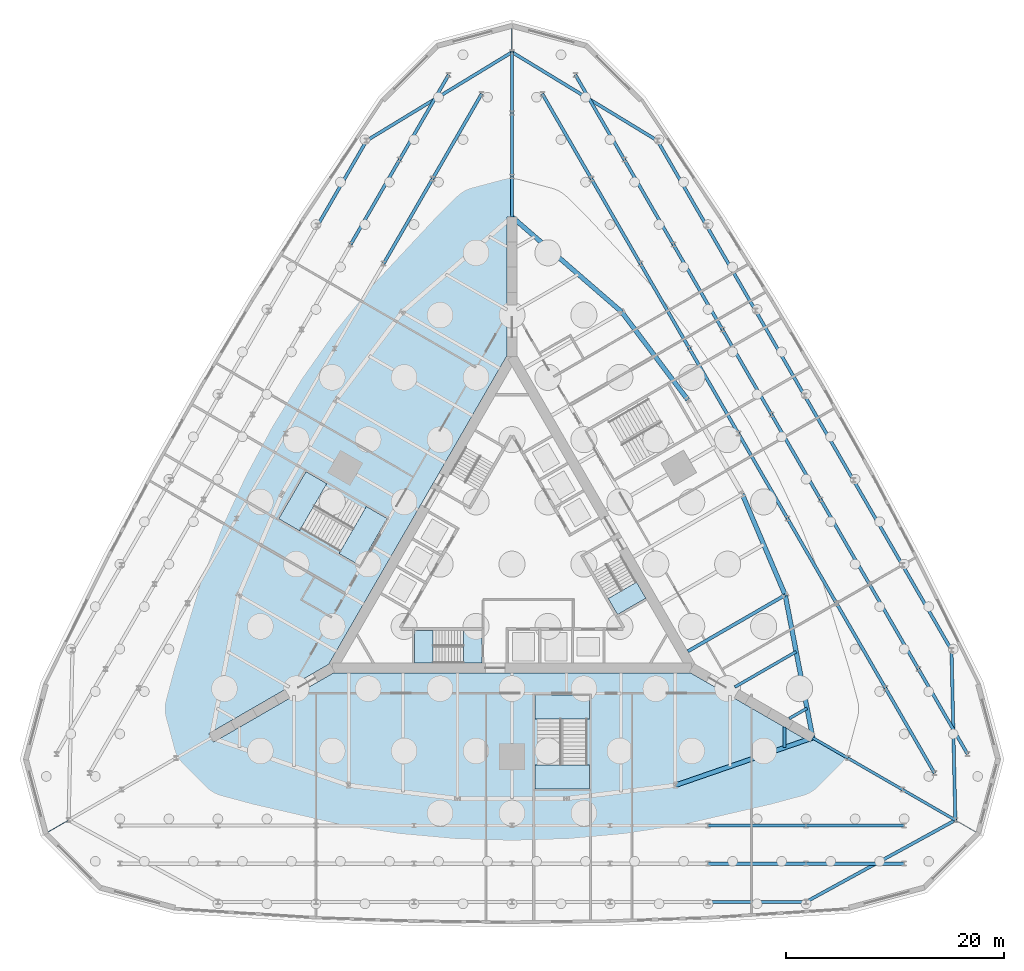
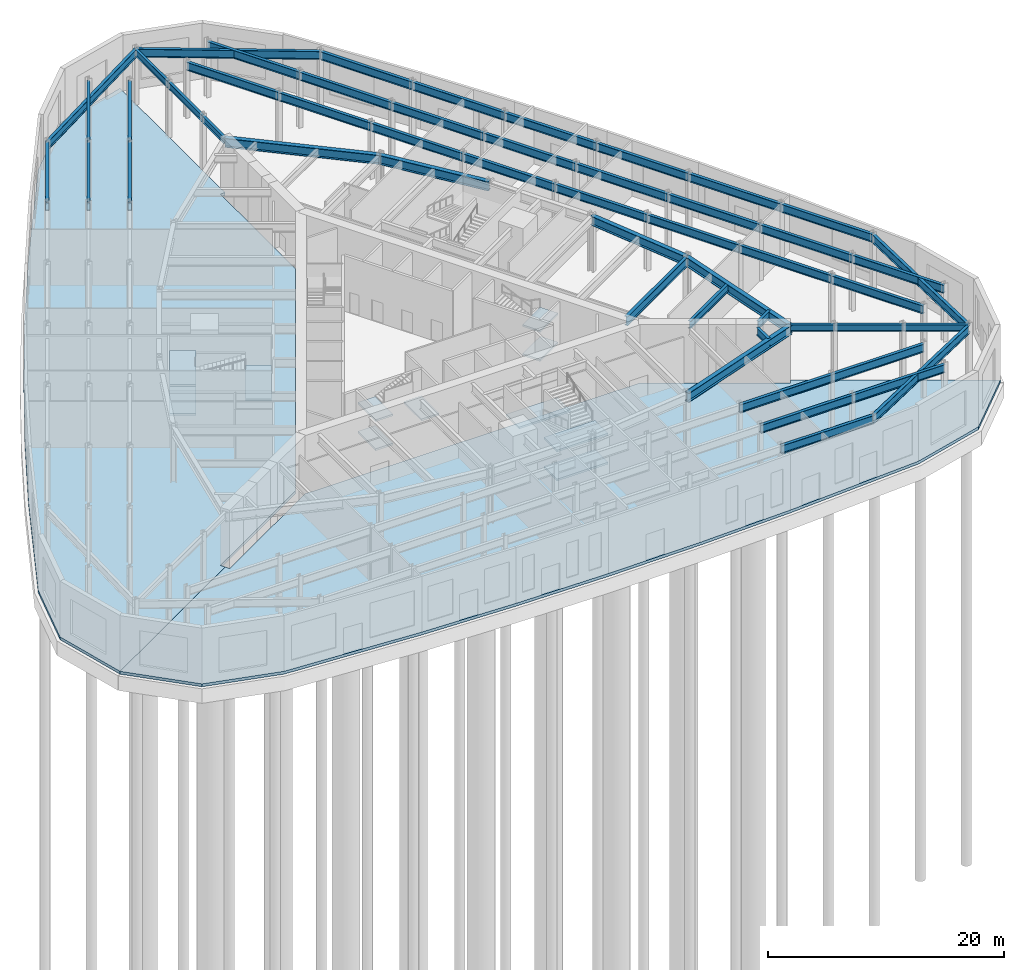
# One storey, part 8 of 17: 51 beams, 13 slabs, 4 elements without a shape of their own.
"""IFC4 building model written with IfcOpenShell, lengths in metres."""

from ifc_helpers import new_model, si_unit, direction, frame, origin, origin_2d, place, context, subcontext, project, spatial, polyline, i_section, outline, extrude, material, layer, layer_set, material_profile, profile_set, type_object, element, aggregate, save


model = new_model("IFC4")

# Units and contexts
model_context = context("Model", 3, precision=1e-05, world=origin(), true_north=direction((0.0, 1.0)))
body_context = subcontext(model_context, "Body", "Model", "MODEL_VIEW")
ifc_project = project(units=[si_unit("LENGTHUNIT", "METRE"), si_unit("AREAUNIT", "SQUARE_METRE"), si_unit("VOLUMEUNIT", "CUBIC_METRE"), si_unit("PLANEANGLEUNIT", "RADIAN"), si_unit("MASSUNIT", "GRAM", prefix="KILO")], contexts=[model_context])

# Site, building, storey
site_placement = place(None, origin())
site = spatial("IfcSite", under=ifc_project, at=site_placement, CompositionType="ELEMENT")
building_placement = place(site_placement, origin())
building = spatial("IfcBuilding", under=site, at=building_placement, Name="Trikona Tower", CompositionType="ELEMENT")
storey_placement = place(building_placement, origin())
storey = spatial("IfcBuildingStorey", under=building, at=storey_placement, Name="L00", CompositionType="ELEMENT", Elevation=0.0)

# Beams
ifc_material_1 = material(Name="Steel ASTM A992 Grade 50", Category="steel")
ifc_material_profile_1 = material_profile(ifc_material_1, i_section(OverallWidth=0.25390625, OverallDepth=0.683349609375, WebThickness=0.012451171875, FlangeThickness=0.01904296875, at=origin_2d()), Name="W27X94")
ifc_profile_set_1 = profile_set([ifc_material_profile_1], Name="Steel ASTM A992 Grade 50")
beam_type_1 = type_object("IfcBeamType", Name="Steel beam W27x94 (pod radial)", PredefinedType="BEAM", material=ifc_profile_set_1)
beam_1_placement = place(storey_placement, frame((35.853515625, -20.699951171875, 5.408447265625), z_axis=(0.866015695474, -0.500016814911, 0.0), x_axis=(0.500016814911, 0.866015695474, 0.0)))
element("IfcBeam", 1, at=beam_1_placement, inside=storey, type_object=beam_type_1, Name="Podium beam L01 CB00", PredefinedType="BEAM", context=body_context, shape_type="SweptSolid", body=[
    extrude(i_section(OverallWidth=0.25390625, OverallDepth=0.683349609375, WebThickness=0.012451171875, FlangeThickness=0.01904296875, at=origin_2d()), origin(), (0.0, 0.0, 1.0), 5.599853515625),
])
beam_2_placement = place(storey_placement, frame((30.83056640625, -17.800048828125, 5.408447265625), z_axis=(0.866032775405, -0.499987231761, 0.0), x_axis=(0.499987231761, 0.866032775405, 0.0)))
element("IfcBeam", 2, at=beam_2_placement, inside=storey, type_object=beam_type_1, Name="Podium beam L01 CB01", PredefinedType="BEAM", context=body_context, shape_type="SweptSolid", body=[
    extrude(i_section(OverallWidth=0.25390625, OverallDepth=0.683349609375, WebThickness=0.012451171875, FlangeThickness=0.01904296875, at=origin_2d()), origin(), (0.0, 0.0, 1.0), 5.800048828125),
])
beam_3_placement = place(storey_placement, frame((0.0, 41.39990234375, 5.408447265625), z_axis=(0.0, 1.0, 0.0), x_axis=(-1.0, 0.0, 0.0)))
element("IfcBeam", 3, at=beam_3_placement, inside=storey, type_object=beam_type_1, Name="Podium beam L01 CB10", PredefinedType="BEAM", context=body_context, shape_type="SweptSolid", body=[
    extrude(i_section(OverallWidth=0.25390625, OverallDepth=0.683349609375, WebThickness=0.012451171875, FlangeThickness=0.01904296875, at=origin_2d()), origin(), (0.0, 0.0, 1.0), 5.60009765625),
])
beam_4_placement = place(storey_placement, frame((0.0, 35.60009765625, 5.408447265625), z_axis=(0.0, 1.0, 0.0), x_axis=(-1.0, 0.0, 0.0)))
element("IfcBeam", 4, at=beam_4_placement, inside=storey, type_object=beam_type_1, Name="Podium beam L01 CB11", PredefinedType="BEAM", context=body_context, shape_type="SweptSolid", body=[
    extrude(i_section(OverallWidth=0.25390625, OverallDepth=0.683349609375, WebThickness=0.012451171875, FlangeThickness=0.01904296875, at=origin_2d()), origin(), (0.0, 0.0, 1.0), 5.7998046875),
])
beam_5_placement = place(storey_placement, frame((27.612060546875, -15.94189453125, 5.408447265625), z_axis=(0.866031337506, -0.499989722352, 0.0), x_axis=(0.499989722352, 0.866031337506, 0.0)))
element("IfcBeam", 5, at=beam_5_placement, inside=storey, type_object=beam_type_1, Name="Podium beam L01 RKK0D35.6", PredefinedType="BEAM", context=body_context, shape_type="SweptSolid", body=[
    extrude(i_section(OverallWidth=0.25390625, OverallDepth=0.683349609375, WebThickness=0.012451171875, FlangeThickness=0.01904296875, at=origin_2d()), origin(), (0.0, 0.0, 1.0), 3.71630859375),
])
beam_6_placement = place(storey_placement, frame((0.0, 31.883544921875, 5.408447265625), z_axis=(0.0, 1.0, 0.0), x_axis=(-1.0, 0.0, 0.0)))
element("IfcBeam", 6, at=beam_6_placement, inside=storey, type_object=beam_type_1, Name="Podium beam L01 RKK1D35.6", PredefinedType="BEAM", context=body_context, shape_type="SweptSolid", body=[
    extrude(i_section(OverallWidth=0.25390625, OverallDepth=0.683349609375, WebThickness=0.012451171875, FlangeThickness=0.01904296875, at=origin_2d()), origin(), (0.0, 0.0, 1.0), 3.716552734375),
])
ifc_material_2 = material(Name="Steel ASTM A992 Grade 50", Category="steel")
ifc_material_profile_2 = material_profile(ifc_material_2, i_section(OverallWidth=0.2666015625, OverallDepth=0.76953125, WebThickness=0.015625, FlangeThickness=0.025390625, at=origin_2d()), Name="W30X132")
ifc_profile_set_2 = profile_set([ifc_material_profile_2], Name="Steel ASTM A992 Grade 50")
beam_type_2 = type_object("IfcBeamType", Name="Steel beam W30x132 (wedge)", PredefinedType="BEAM", material=ifc_profile_set_2)
for number, where, z_axis, x_axis, name in (
    (7, (25.0, -14.953369140625, 5.365234375), (0.0, -1.0, 0.0), (1.0, 0.0, 0.0), "Floor beam L01 F1 u25"),
    (8, (25.449951171875, -14.173828125, 5.365234375), (0.866065156741, 0.499931139538, 0.0), (-0.499931139538, 0.866065156741, 0.0), "Floor beam L01 F2 u-25"),
):
    element("IfcBeam", number, at=place(storey_placement, frame(where, z_axis=z_axis, x_axis=x_axis)), inside=storey, type_object=beam_type_2, Name=name, PredefinedType="BEAM", context=body_context, shape_type="SweptSolid", body=[
        extrude(i_section(OverallWidth=0.2666015625, OverallDepth=0.76953125, WebThickness=0.015625, FlangeThickness=0.025390625, at=origin_2d()), origin(), (0.0, 0.0, 1.0), 1.890380859375),
    ])
beam_7_placement = place(storey_placement, frame((20.449951171875, -11.287109375, 5.365234375), z_axis=(0.866022504693, 0.50000502134, 0.0), x_axis=(-0.50000502134, 0.866022504693, 0.0)))
element("IfcBeam", 9, at=beam_7_placement, inside=storey, type_object=beam_type_2, Name="Floor beam L01 F2 u-20", PredefinedType="BEAM", context=body_context, shape_type="SweptSolid", body=[
    extrude(i_section(OverallWidth=0.2666015625, OverallDepth=0.76953125, WebThickness=0.015625, FlangeThickness=0.025390625, at=origin_2d()), origin(), (0.0, 0.0, 1.0), 6.5068359375),
])
ifc_material_3 = material(Name="Steel ASTM A992 Grade 50", Category="steel")
ifc_material_profile_3 = material_profile(ifc_material_3, i_section(OverallWidth=0.2919921875, OverallDepth=0.845703125, WebThickness=0.015380859375, FlangeThickness=0.0244140625, at=origin_2d()), Name="W33X141")
ifc_profile_set_3 = profile_set([ifc_material_profile_3], Name="Steel ASTM A992 Grade 50")
beam_type_3 = type_object("IfcBeamType", Name="Steel beam W33x141 (pod girder)", PredefinedType="BEAM", material=ifc_profile_set_3)
for number, where, z_axis, x_axis, name in (
    (10, (18.0, -24.0, 5.3271484375), (1.0, 0.0, 0.0), (0.0, 1.0, 0.0), "Podium beam L01 GR24F0p18-R24F0p27"),
    (11, (27.0, -24.0, 5.3271484375), (1.0, 0.0, 0.0), (0.0, 1.0, 0.0), "Podium beam L01 GR24F0p27-R24F0p36"),
    (12, (18.0, -27.5, 5.3271484375), (1.0, 0.0, 0.0), (0.0, 1.0, 0.0), "Podium beam L01 GR27.5F0p18-R27.5F0p27"),
    (13, (27.0, -27.5, 5.3271484375), (1.0, 0.0, 0.0), (0.0, 1.0, 0.0), "Podium beam L01 GR27.5F0p27-R27.5F0p36"),
    (14, (18.0, -31.0, 5.3271484375), (1.0, 0.0, 0.0), (0.0, 1.0, 0.0), "Podium beam L01 GR31F0p18-R31F0p27"),
    (15, (38.78466796875, -19.177001953125, 5.3271484375), (-0.5000018851, 0.866024315419, 0.0), (-0.866024315419, -0.5000018851, 0.0), "Podium beam L01 GR24F1m36-R24F1m27"),
):
    element("IfcBeam", number, at=place(storey_placement, frame(where, z_axis=z_axis, x_axis=x_axis)), inside=storey, type_object=beam_type_3, Name=name, PredefinedType="BEAM", context=body_context, shape_type="SweptSolid", body=[
        extrude(i_section(OverallWidth=0.2919921875, OverallDepth=0.845703125, WebThickness=0.015380859375, FlangeThickness=0.0244140625, at=origin_2d()), origin(), (0.0, 0.0, 1.0), 9.0),
    ])
beam_8_placement = place(storey_placement, frame((34.28466796875, -11.3828125, 5.3271484375), z_axis=(-0.499990139034, 0.866031096941, 0.0), x_axis=(-0.866031096941, -0.499990139034, 0.0)))
element("IfcBeam", 16, at=beam_8_placement, inside=storey, type_object=beam_type_3, Name="Podium beam L01 GR24F1m27-R24F1m18", PredefinedType="BEAM", context=body_context, shape_type="SweptSolid", body=[
    extrude(i_section(OverallWidth=0.2919921875, OverallDepth=0.845703125, WebThickness=0.015380859375, FlangeThickness=0.0244140625, at=origin_2d()), origin(), (0.0, 0.0, 1.0), 9.000244140625),
])
for number, where, z_axis, x_axis, name in (
    (17, (29.78466796875, -3.58837890625, 5.3271484375), (-0.5000018851, 0.866024315419, 0.0), (-0.866024315419, -0.5000018851, 0.0), "Podium beam L01 GR24F1m18-R24F1m9"),
    (18, (25.28466796875, 4.205810546875, 5.3271484375), (-0.5000018851, 0.866024315419, 0.0), (-0.866024315419, -0.5000018851, 0.0), "Podium beam L01 GR24F1m9-R24F1p0"),
    (19, (20.78466796875, 12.0, 5.3271484375), (-0.5000018851, 0.866024315419, 0.0), (-0.866024315419, -0.5000018851, 0.0), "Podium beam L01 GR24F1p0-R24F1p9"),
    (20, (16.28466796875, 19.794189453125, 5.3271484375), (-0.5000018851, 0.866024315419, 0.0), (-0.866024315419, -0.5000018851, 0.0), "Podium beam L01 GR24F1p9-R24F1p18"),
):
    element("IfcBeam", number, at=place(storey_placement, frame(where, z_axis=z_axis, x_axis=x_axis)), inside=storey, type_object=beam_type_3, Name=name, PredefinedType="BEAM", context=body_context, shape_type="SweptSolid", body=[
        extrude(i_section(OverallWidth=0.2919921875, OverallDepth=0.845703125, WebThickness=0.015380859375, FlangeThickness=0.0244140625, at=origin_2d()), origin(), (0.0, 0.0, 1.0), 9.0),
    ])
beam_9_placement = place(storey_placement, frame((11.78466796875, 27.58837890625, 5.3271484375), z_axis=(-0.499990139034, 0.866031096941, 0.0), x_axis=(-0.866031096941, -0.499990139034, 0.0)))
element("IfcBeam", 21, at=beam_9_placement, inside=storey, type_object=beam_type_3, Name="Podium beam L01 GR24F1p18-R24F1p27", PredefinedType="BEAM", context=body_context, shape_type="SweptSolid", body=[
    extrude(i_section(OverallWidth=0.2919921875, OverallDepth=0.845703125, WebThickness=0.015380859375, FlangeThickness=0.0244140625, at=origin_2d()), origin(), (0.0, 0.0, 1.0), 9.000244140625),
])
for number, where, z_axis, x_axis, name in (
    (22, (7.28466796875, 35.3828125, 5.3271484375), (-0.5000018851, 0.866024315419, 0.0), (-0.866024315419, -0.5000018851, 0.0), "Podium beam L01 GR24F1p27-R24F1p36"),
    (23, (41.815673828125, -17.427001953125, 5.3271484375), (-0.5000018851, 0.866024315419, 0.0), (-0.866024315419, -0.5000018851, 0.0), "Podium beam L01 GR27.5F1m36-R27.5F1m27"),
):
    element("IfcBeam", number, at=place(storey_placement, frame(where, z_axis=z_axis, x_axis=x_axis)), inside=storey, type_object=beam_type_3, Name=name, PredefinedType="BEAM", context=body_context, shape_type="SweptSolid", body=[
        extrude(i_section(OverallWidth=0.2919921875, OverallDepth=0.845703125, WebThickness=0.015380859375, FlangeThickness=0.0244140625, at=origin_2d()), origin(), (0.0, 0.0, 1.0), 9.0),
    ])
beam_10_placement = place(storey_placement, frame((37.315673828125, -9.6328125, 5.3271484375), z_axis=(-0.499990139034, 0.866031096941, 0.0), x_axis=(-0.866031096941, -0.499990139034, 0.0)))
element("IfcBeam", 24, at=beam_10_placement, inside=storey, type_object=beam_type_3, Name="Podium beam L01 GR27.5F1m27-R27.5F1m18", PredefinedType="BEAM", context=body_context, shape_type="SweptSolid", body=[
    extrude(i_section(OverallWidth=0.2919921875, OverallDepth=0.845703125, WebThickness=0.015380859375, FlangeThickness=0.0244140625, at=origin_2d()), origin(), (0.0, 0.0, 1.0), 9.000244140625),
])
for number, where, z_axis, x_axis, name in (
    (25, (32.815673828125, -1.83837890625, 5.3271484375), (-0.5000018851, 0.866024315419, 0.0), (-0.866024315419, -0.5000018851, 0.0), "Podium beam L01 GR27.5F1m18-R27.5F1m9"),
    (26, (28.315673828125, 5.955810546875, 5.3271484375), (-0.5000018851, 0.866024315419, 0.0), (-0.866024315419, -0.5000018851, 0.0), "Podium beam L01 GR27.5F1m9-R27.5F1p0"),
    (27, (23.815673828125, 13.75, 5.3271484375), (-0.5000018851, 0.866024315419, 0.0), (-0.866024315419, -0.5000018851, 0.0), "Podium beam L01 GR27.5F1p0-R27.5F1p9"),
    (28, (19.315673828125, 21.544189453125, 5.3271484375), (-0.5000018851, 0.866024315419, 0.0), (-0.866024315419, -0.5000018851, 0.0), "Podium beam L01 GR27.5F1p9-R27.5F1p18"),
):
    element("IfcBeam", number, at=place(storey_placement, frame(where, z_axis=z_axis, x_axis=x_axis)), inside=storey, type_object=beam_type_3, Name=name, PredefinedType="BEAM", context=body_context, shape_type="SweptSolid", body=[
        extrude(i_section(OverallWidth=0.2919921875, OverallDepth=0.845703125, WebThickness=0.015380859375, FlangeThickness=0.0244140625, at=origin_2d()), origin(), (0.0, 0.0, 1.0), 9.0),
    ])
beam_11_placement = place(storey_placement, frame((14.815673828125, 29.33837890625, 5.3271484375), z_axis=(-0.499990139034, 0.866031096941, 0.0), x_axis=(-0.866031096941, -0.499990139034, 0.0)))
element("IfcBeam", 29, at=beam_11_placement, inside=storey, type_object=beam_type_3, Name="Podium beam L01 GR27.5F1p18-R27.5F1p27", PredefinedType="BEAM", context=body_context, shape_type="SweptSolid", body=[
    extrude(i_section(OverallWidth=0.2919921875, OverallDepth=0.845703125, WebThickness=0.015380859375, FlangeThickness=0.0244140625, at=origin_2d()), origin(), (0.0, 0.0, 1.0), 9.000244140625),
])
beam_12_placement = place(storey_placement, frame((10.315673828125, 37.1328125, 5.3271484375), z_axis=(-0.5000018851, 0.866024315419, 0.0), x_axis=(-0.866024315419, -0.5000018851, 0.0)))
element("IfcBeam", 30, at=beam_12_placement, inside=storey, type_object=beam_type_3, Name="Podium beam L01 GR27.5F1p27-R27.5F1p36", PredefinedType="BEAM", context=body_context, shape_type="SweptSolid", body=[
    extrude(i_section(OverallWidth=0.2919921875, OverallDepth=0.845703125, WebThickness=0.015380859375, FlangeThickness=0.0244140625, at=origin_2d()), origin(), (0.0, 0.0, 1.0), 9.0),
])
beam_13_placement = place(storey_placement, frame((40.3466796875, -7.8828125, 5.3271484375), z_axis=(-0.499990139034, 0.866031096941, 0.0), x_axis=(-0.866031096941, -0.499990139034, 0.0)))
element("IfcBeam", 31, at=beam_13_placement, inside=storey, type_object=beam_type_3, Name="Podium beam L01 GR31F1m27-R31F1m18", PredefinedType="BEAM", context=body_context, shape_type="SweptSolid", body=[
    extrude(i_section(OverallWidth=0.2919921875, OverallDepth=0.845703125, WebThickness=0.015380859375, FlangeThickness=0.0244140625, at=origin_2d()), origin(), (0.0, 0.0, 1.0), 9.000244140625),
])
for number, where, z_axis, x_axis, name in (
    (32, (35.8466796875, -0.08837890625, 5.3271484375), (-0.5000018851, 0.866024315419, 0.0), (-0.866024315419, -0.5000018851, 0.0), "Podium beam L01 GR31F1m18-R31F1m9"),
    (33, (31.3466796875, 7.705810546875, 5.3271484375), (-0.5000018851, 0.866024315419, 0.0), (-0.866024315419, -0.5000018851, 0.0), "Podium beam L01 GR31F1m9-R31F1p0"),
    (34, (26.8466796875, 15.5, 5.3271484375), (-0.5000018851, 0.866024315419, 0.0), (-0.866024315419, -0.5000018851, 0.0), "Podium beam L01 GR31F1p0-R31F1p9"),
    (35, (22.3466796875, 23.294189453125, 5.3271484375), (-0.5000018851, 0.866024315419, 0.0), (-0.866024315419, -0.5000018851, 0.0), "Podium beam L01 GR31F1p9-R31F1p18"),
):
    element("IfcBeam", number, at=place(storey_placement, frame(where, z_axis=z_axis, x_axis=x_axis)), inside=storey, type_object=beam_type_3, Name=name, PredefinedType="BEAM", context=body_context, shape_type="SweptSolid", body=[
        extrude(i_section(OverallWidth=0.2919921875, OverallDepth=0.845703125, WebThickness=0.015380859375, FlangeThickness=0.0244140625, at=origin_2d()), origin(), (0.0, 0.0, 1.0), 9.0),
    ])
beam_14_placement = place(storey_placement, frame((17.8466796875, 31.08837890625, 5.3271484375), z_axis=(-0.499990139034, 0.866031096941, 0.0), x_axis=(-0.866031096941, -0.499990139034, 0.0)))
element("IfcBeam", 36, at=beam_14_placement, inside=storey, type_object=beam_type_3, Name="Podium beam L01 GR31F1p18-R31F1p27", PredefinedType="BEAM", context=body_context, shape_type="SweptSolid", body=[
    extrude(i_section(OverallWidth=0.2919921875, OverallDepth=0.845703125, WebThickness=0.015380859375, FlangeThickness=0.0244140625, at=origin_2d()), origin(), (0.0, 0.0, 1.0), 9.000244140625),
])
beam_15_placement = place(storey_placement, frame((-2.78466796875, 43.177001953125, 5.3271484375), z_axis=(-0.5000018851, -0.866024315419, 0.0), x_axis=(0.866024315419, -0.5000018851, 0.0)))
element("IfcBeam", 37, at=beam_15_placement, inside=storey, type_object=beam_type_3, Name="Podium beam L01 GR24F2m36-R24F2m27", PredefinedType="BEAM", context=body_context, shape_type="SweptSolid", body=[
    extrude(i_section(OverallWidth=0.2919921875, OverallDepth=0.845703125, WebThickness=0.015380859375, FlangeThickness=0.0244140625, at=origin_2d()), origin(), (0.0, 0.0, 1.0), 9.0),
])
beam_16_placement = place(storey_placement, frame((-7.28466796875, 35.3828125, 5.3271484375), z_axis=(-0.499990139034, -0.866031096941, 0.0), x_axis=(0.866031096941, -0.499990139034, 0.0)))
element("IfcBeam", 38, at=beam_16_placement, inside=storey, type_object=beam_type_3, Name="Podium beam L01 GR24F2m27-R24F2m18", PredefinedType="BEAM", context=body_context, shape_type="SweptSolid", body=[
    extrude(i_section(OverallWidth=0.2919921875, OverallDepth=0.845703125, WebThickness=0.015380859375, FlangeThickness=0.0244140625, at=origin_2d()), origin(), (0.0, 0.0, 1.0), 9.000244140625),
])
beam_17_placement = place(storey_placement, frame((-5.815673828125, 44.927001953125, 5.3271484375), z_axis=(-0.5000018851, -0.866024315419, 0.0), x_axis=(0.866024315419, -0.5000018851, 0.0)))
element("IfcBeam", 39, at=beam_17_placement, inside=storey, type_object=beam_type_3, Name="Podium beam L01 GR27.5F2m36-R27.5F2m27", PredefinedType="BEAM", context=body_context, shape_type="SweptSolid", body=[
    extrude(i_section(OverallWidth=0.2919921875, OverallDepth=0.845703125, WebThickness=0.015380859375, FlangeThickness=0.0244140625, at=origin_2d()), origin(), (0.0, 0.0, 1.0), 9.0),
])
for number, where, z_axis, x_axis, name in (
    (40, (-10.315673828125, 37.1328125, 5.3271484375), (-0.499990139034, -0.866031096941, 0.0), (0.866031096941, -0.499990139034, 0.0), "Podium beam L01 GR27.5F2m27-R27.5F2m18"),
    (41, (-13.3466796875, 38.8828125, 5.3271484375), (-0.499990139034, -0.866031096941, 0.0), (0.866031096941, -0.499990139034, 0.0), "Podium beam L01 GR31F2m27-R31F2m18"),
):
    element("IfcBeam", number, at=place(storey_placement, frame(where, z_axis=z_axis, x_axis=x_axis)), inside=storey, type_object=beam_type_3, Name=name, PredefinedType="BEAM", context=body_context, shape_type="SweptSolid", body=[
        extrude(i_section(OverallWidth=0.2919921875, OverallDepth=0.845703125, WebThickness=0.015380859375, FlangeThickness=0.0244140625, at=origin_2d()), origin(), (0.0, 0.0, 1.0), 9.000244140625),
    ])
for number, where, z_axis, x_axis, name in (
    (42, (40.703125, -23.5, 5.3271484375), (-0.877206606487, -0.480113079947, 0.0), (0.480113079947, -0.877206606487, 0.0), "Podium beam L01 CK0D47-R31F0p27"),
    (43, (40.703125, -23.5, 5.3271484375), (-0.022817969436, 0.999739636241, 0.0), (-0.999739636241, -0.022817969436, 0.0), "Podium beam L01 CK0D47-R31F1m27"),
    (44, (0.0, 47.0, 5.3271484375), (0.854394059714, -0.519625625547, 0.0), (0.519625625547, 0.854394059714, 0.0), "Podium beam L01 CK1D47-R31F1p27"),
    (45, (0.0, 47.0, 5.3271484375), (-0.854394059714, -0.519625625547, 0.0), (0.519625625547, -0.854394059714, 0.0), "Podium beam L01 CK1D47-R31F2m27"),
):
    element("IfcBeam", number, at=place(storey_placement, frame(where, z_axis=z_axis, x_axis=x_axis)), inside=storey, type_object=beam_type_3, Name=name, PredefinedType="BEAM", context=body_context, shape_type="SweptSolid", body=[
        extrude(i_section(OverallWidth=0.2919921875, OverallDepth=0.845703125, WebThickness=0.015380859375, FlangeThickness=0.0244140625, at=origin_2d()), origin(), (0.0, 0.0, 1.0), 15.621337890625),
    ])
ifc_material_4 = material(Name="Steel ASTM A992 Grade 50", Category="steel")
ifc_material_profile_4 = material_profile(ifc_material_4, i_section(OverallWidth=0.307373046875, OverallDepth=0.9423828125, WebThickness=0.022216796875, FlangeThickness=0.039794921875, at=origin_2d()), Name="W36X232")
ifc_profile_set_4 = profile_set([ifc_material_profile_4], Name="Steel ASTM A992 Grade 50")
beam_type_4 = type_object("IfcBeamType", Name="Steel beam W36x232 (radial low)", PredefinedType="BEAM", material=ifc_profile_set_4)
beam_18_placement = place(storey_placement, frame((16.1396484375, -8.002197265625, 5.27880859375), z_axis=(0.866030471684, 0.499991222037, 0.0), x_axis=(-0.499991222037, 0.866030471684, 0.0)))
element("IfcBeam", 46, at=beam_18_placement, inside=storey, type_object=beam_type_4, Name="Floor beam L01 F2 u-15", PredefinedType="BEAM", context=body_context, shape_type="SweptSolid", body=[
    extrude(i_section(OverallWidth=0.307373046875, OverallDepth=0.9423828125, WebThickness=0.022216796875, FlangeThickness=0.039794921875, at=origin_2d()), origin(), (0.0, 0.0, 1.0), 10.326904296875),
])
ifc_material_5 = material(Name="Steel ASTM A992 Grade 50", Category="steel")
ifc_material_profile_5 = material_profile(ifc_material_5, i_section(OverallWidth=0.424072265625, OverallDepth=0.947509765625, WebThickness=0.02392578125, FlangeThickness=0.042724609375, at=origin_2d()), Name="W36X302")
ifc_profile_set_5 = profile_set([ifc_material_profile_5], Name="Steel ASTM A992 Grade 50")
beam_type_5 = type_object("IfcBeamType", Name="Steel beam W36x302 (pod tower spandrel)", PredefinedType="BEAM", material=ifc_profile_set_5)
for number, where, z_axis, x_axis, name in (
    (47, (15.0, -20.302978515625, 5.2763671875), (0.945056965739, 0.326905692071, 0.0), (-0.326905692071, 0.945056965739, 0.0), "Spandrel beam L01 F1-5"),
    (48, (27.6103515625, -15.94091796875, 5.2763671875), (-0.189405184036, 0.981899015307, 0.0), (-0.981899015307, -0.189405184036, 0.0), "Spandrel beam L01 F2-1"),
):
    element("IfcBeam", number, at=place(storey_placement, frame(where, z_axis=z_axis, x_axis=x_axis)), inside=storey, type_object=beam_type_5, Name=name, PredefinedType="BEAM", context=body_context, shape_type="SweptSolid", body=[
        extrude(i_section(OverallWidth=0.424072265625, OverallDepth=0.947509765625, WebThickness=0.02392578125, FlangeThickness=0.042724609375, at=origin_2d()), origin(), (0.0, 0.0, 1.0), 13.343505859375),
    ])
beam_19_placement = place(storey_placement, frame((25.0830078125, -2.8388671875, 5.2763671875), z_axis=(-0.391683514847, 0.920100007715, 0.0), x_axis=(-0.920100007715, -0.391683514847, 0.0)))
element("IfcBeam", 49, at=beam_19_placement, inside=storey, type_object=beam_type_5, Name="Spandrel beam L01 F2-2", PredefinedType="BEAM", context=body_context, shape_type="SweptSolid", body=[
    extrude(i_section(OverallWidth=0.424072265625, OverallDepth=0.947509765625, WebThickness=0.02392578125, FlangeThickness=0.042724609375, at=origin_2d()), origin(), (0.0, 0.0, 1.0), 10.073974609375),
])
beam_20_placement = place(storey_placement, frame((16.13720703125, 15.09033203125, 5.2763671875), z_axis=(-0.600988344191, 0.799257787042, 0.0), x_axis=(-0.799257787042, -0.600988344191, 0.0)))
element("IfcBeam", 50, at=beam_20_placement, inside=storey, type_object=beam_type_5, Name="Spandrel beam L01 F2-4", PredefinedType="BEAM", context=body_context, shape_type="SweptSolid", body=[
    extrude(i_section(OverallWidth=0.424072265625, OverallDepth=0.947509765625, WebThickness=0.02392578125, FlangeThickness=0.042724609375, at=origin_2d()), origin(), (0.0, 0.0, 1.0), 10.07373046875),
])
beam_21_placement = place(storey_placement, frame((10.0830078125, 23.141845703125, 5.2763671875), z_axis=(-0.755646822726, 0.654979296851, 0.0), x_axis=(-0.654979296851, -0.755646822726, 0.0)))
element("IfcBeam", 51, at=beam_21_placement, inside=storey, type_object=beam_type_5, Name="Spandrel beam L01 F2-5", PredefinedType="BEAM", context=body_context, shape_type="SweptSolid", body=[
    extrude(i_section(OverallWidth=0.424072265625, OverallDepth=0.947509765625, WebThickness=0.02392578125, FlangeThickness=0.042724609375, at=origin_2d()), origin(), (0.0, 0.0, 1.0), 13.343505859375),
])

# Slabs
ifc_material_6 = material(Name="Concrete f'c 5000 psi", Category="concrete")
ifc_layer_1 = layer(ifc_material_6, 0.300048828125)
ifc_layer_set_1 = layer_set([ifc_layer_1], Name="Ground slab 300")
slab_type_1 = type_object("IfcSlabType", Name="Ground slab 300", PredefinedType="BASESLAB", material=ifc_layer_set_1)
slab_1_placement = place(storey_placement, frame((0.0, 0.0, -0.300048828125)))
element("IfcSlab", 52, at=slab_1_placement, inside=storey, type_object=slab_type_1, Name="Ground slab south", PredefinedType="BASESLAB", context=body_context, shape_type="SweptSolid", body=[
    extrude(outline(polyline([(43.0, -24.826171875), (27.6103515625, -15.94091796875), (27.38525390625, -16.33056640625), (16.37939453125, -9.976318359375), (-16.37939453125, -9.976318359375), (-27.38525390625, -16.33056640625), (-27.6103515625, -15.94091796875), (-43.0, -24.826171875), (-37.92822265625, -29.89794921875), (-31.0, -31.75439453125), (-18.0, -32.576171875), (-9.0, -32.8896484375), (0.0, -32.994384765625), (9.0, -32.8896484375), (18.0, -32.576171875), (31.0, -31.75439453125), (37.92822265625, -29.89794921875), (43.0, -24.826171875)])), origin(), (0.0, 0.0, 1.0), 0.300048828125),
])
slab_2_placement = place(storey_placement, frame((0.0, 0.0, -0.300048828125)))
element("IfcSlab", 53, at=slab_2_placement, inside=storey, type_object=slab_type_1, Name="Ground slab north-west", PredefinedType="BASESLAB", context=body_context, shape_type="SweptSolid", body=[
    extrude(outline(polyline([(0.0, 49.652099609375), (-6.92822265625, 47.795654296875), (-12.0, 42.723876953125), (-19.2119140625, 31.876708984375), (-23.9833984375, 24.239013671875), (-28.573974609375, 16.4970703125), (-32.9833984375, 8.650634765625), (-37.2119140625, 0.69970703125), (-43.0, -10.9697265625), (-44.8564453125, -17.89794921875), (-43.0, -24.826171875), (-27.6103515625, -15.94091796875), (-27.835205078125, -15.551025390625), (-16.829345703125, -9.197021484375), (-0.449951171875, 19.173095703125), (-0.449951171875, 31.881591796875), (0.0, 31.881591796875), (0.0, 49.652099609375)])), origin(), (0.0, 0.0, 1.0), 0.300048828125),
])

# Stair, slabs
ifc_material_7 = material(Name="Concrete f'c 5000 psi", Category="concrete")
stair_type_1 = type_object("IfcStairType", Name="Core stair", PredefinedType="HALF_TURN_STAIR", material=ifc_material_7)
stair_1_placement = place(storey_placement, origin())
stair_1 = element("IfcStair", 54, at=stair_1_placement, inside=storey, type_object=stair_type_1, Name="Stair A L00", PredefinedType="HALF_TURN_STAIR")
ifc_material_8 = material(Name="Concrete f'c 5000 psi", Category="concrete")
ifc_layer_2 = layer(ifc_material_8, 0.199951171875)
ifc_layer_set_2 = layer_set([ifc_layer_2], Name="Stair landing 200")
slab_type_2 = type_object("IfcSlabType", Name="Stair landing 200", PredefinedType="LANDING", material=ifc_layer_set_2)
slab_3_placement = place(storey_placement, frame((0.0, 0.0, 1.300048828125)))
slab_3 = element("IfcSlab", 55, at=slab_3_placement, type_object=slab_type_2, Name="ST-A landing 1", PredefinedType="LANDING", context=body_context, shape_type="SweptSolid", body=[
    extrude(outline(polyline([(-8.949951171875, -6.076416015625), (-7.2470703125, -6.076416015625), (-7.2470703125, -9.076416015625), (-8.949951171875, -9.076416015625), (-8.949951171875, -6.076416015625)])), origin(), (0.0, 0.0, 1.0), 0.199951171875),
])
slab_4_placement = place(storey_placement, frame((0.0, 0.0, 2.800048828125)))
slab_4 = element("IfcSlab", 56, at=slab_4_placement, type_object=slab_type_2, Name="ST-A landing 2", PredefinedType="LANDING", context=body_context, shape_type="SweptSolid", body=[
    extrude(outline(polyline([(-4.452880859375, -6.076416015625), (-2.75, -6.076416015625), (-2.75, -9.076416015625), (-4.452880859375, -9.076416015625), (-4.452880859375, -6.076416015625)])), origin(), (0.0, 0.0, 1.0), 0.199951171875),
])
slab_5_placement = place(storey_placement, frame((0.0, 0.0, 4.300048828125)))
slab_5 = element("IfcSlab", 57, at=slab_5_placement, type_object=slab_type_2, Name="ST-A landing 3", PredefinedType="LANDING", context=body_context, shape_type="SweptSolid", body=[
    extrude(outline(polyline([(-8.949951171875, -6.076416015625), (-7.2470703125, -6.076416015625), (-7.2470703125, -9.076416015625), (-8.949951171875, -9.076416015625), (-8.949951171875, -6.076416015625)])), origin(), (0.0, 0.0, 1.0), 0.199951171875),
])
aggregate(stair_1, [slab_3, slab_4, slab_5])

stair_2_placement = place(storey_placement, origin())
stair_2 = element("IfcStair", 58, at=stair_2_placement, inside=storey, type_object=stair_type_1, Name="Stair B L00", PredefinedType="HALF_TURN_STAIR")
slab_6_placement = place(storey_placement, frame((0.0, 0.0, 1.300048828125)))
slab_6 = element("IfcSlab", 59, at=slab_6_placement, type_object=slab_type_2, Name="ST-B landing 1", PredefinedType="LANDING", context=body_context, shape_type="SweptSolid", body=[
    extrude(outline(polyline([(9.687255859375, -4.626220703125), (8.835693359375, -3.1513671875), (11.433837890625, -1.6513671875), (12.285400390625, -3.126220703125), (9.687255859375, -4.626220703125)])), origin(), (0.0, 0.0, 1.0), 0.199951171875),
])
slab_7_placement = place(storey_placement, frame((0.0, 0.0, 4.300048828125)))
slab_7 = element("IfcSlab", 60, at=slab_7_placement, type_object=slab_type_2, Name="ST-B landing 3", PredefinedType="LANDING", context=body_context, shape_type="SweptSolid", body=[
    extrude(outline(polyline([(9.687255859375, -4.626220703125), (8.835693359375, -3.1513671875), (11.433837890625, -1.6513671875), (12.285400390625, -3.126220703125), (9.687255859375, -4.626220703125)])), origin(), (0.0, 0.0, 1.0), 0.199951171875),
])
aggregate(stair_2, [slab_6, slab_7])

ifc_material_9 = material(Name="Concrete f'c 5000 psi", Category="concrete")
stair_type_2 = type_object("IfcStairType", Name="Podium stair", PredefinedType="HALF_TURN_STAIR", material=ifc_material_9)
stair_3_placement = place(storey_placement, origin())
stair_3 = element("IfcStair", 61, at=stair_3_placement, inside=storey, type_object=stair_type_2, Name="Podium stair PS1 L00", PredefinedType="HALF_TURN_STAIR")
slab_8_placement = place(storey_placement, frame((0.0, 0.0, 1.300048828125)))
slab_8 = element("IfcSlab", 62, at=slab_8_placement, type_object=slab_type_2, Name="PS1 landing 1", PredefinedType="LANDING", context=body_context, shape_type="SweptSolid", body=[
    extrude(outline(polyline([(2.10009765625, -18.42333984375), (7.10009765625, -18.42333984375), (7.10009765625, -20.626220703125), (2.10009765625, -20.626220703125), (2.10009765625, -18.42333984375)])), origin(), (0.0, 0.0, 1.0), 0.199951171875),
])
slab_9_placement = place(storey_placement, frame((0.0, 0.0, 2.800048828125)))
slab_9 = element("IfcSlab", 63, at=slab_9_placement, type_object=slab_type_2, Name="PS1 landing 2", PredefinedType="LANDING", context=body_context, shape_type="SweptSolid", body=[
    extrude(outline(polyline([(2.10009765625, -12.0263671875), (7.10009765625, -12.0263671875), (7.10009765625, -14.229248046875), (2.10009765625, -14.229248046875), (2.10009765625, -12.0263671875)])), origin(), (0.0, 0.0, 1.0), 0.199951171875),
])
slab_10_placement = place(storey_placement, frame((0.0, 0.0, 4.300048828125)))
slab_10 = element("IfcSlab", 64, at=slab_10_placement, type_object=slab_type_2, Name="PS1 landing 3", PredefinedType="LANDING", context=body_context, shape_type="SweptSolid", body=[
    extrude(outline(polyline([(2.10009765625, -18.42333984375), (7.10009765625, -18.42333984375), (7.10009765625, -20.626220703125), (2.10009765625, -20.626220703125), (2.10009765625, -18.42333984375)])), origin(), (0.0, 0.0, 1.0), 0.199951171875),
])
aggregate(stair_3, [slab_8, slab_9, slab_10])

stair_4_placement = place(storey_placement, origin())
stair_4 = element("IfcStair", 65, at=stair_4_placement, inside=storey, type_object=stair_type_2, Name="Podium stair PS3 L00", PredefinedType="HALF_TURN_STAIR")
slab_11_placement = place(storey_placement, frame((0.0, 0.0, 1.300048828125)))
slab_11 = element("IfcSlab", 66, at=slab_11_placement, type_object=slab_type_2, Name="PS3 landing 1", PredefinedType="LANDING", context=body_context, shape_type="SweptSolid", body=[
    extrude(outline(polyline([(-17.0048828125, 7.39306640625), (-19.5048828125, 3.06298828125), (-21.412841796875, 4.164306640625), (-18.912841796875, 8.494384765625), (-17.0048828125, 7.39306640625)])), origin(), (0.0, 0.0, 1.0), 0.199951171875),
])
slab_12_placement = place(storey_placement, frame((0.0, 0.0, 2.800048828125)))
slab_12 = element("IfcSlab", 67, at=slab_12_placement, type_object=slab_type_2, Name="PS3 landing 2", PredefinedType="LANDING", context=body_context, shape_type="SweptSolid", body=[
    extrude(outline(polyline([(-11.465087890625, 4.194580078125), (-13.965087890625, -0.135498046875), (-15.872802734375, 0.9658203125), (-13.372802734375, 5.2958984375), (-11.465087890625, 4.194580078125)])), origin(), (0.0, 0.0, 1.0), 0.199951171875),
])
slab_13_placement = place(storey_placement, frame((0.0, 0.0, 4.300048828125)))
slab_13 = element("IfcSlab", 68, at=slab_13_placement, type_object=slab_type_2, Name="PS3 landing 3", PredefinedType="LANDING", context=body_context, shape_type="SweptSolid", body=[
    extrude(outline(polyline([(-17.0048828125, 7.39306640625), (-19.5048828125, 3.06298828125), (-21.412841796875, 4.164306640625), (-18.912841796875, 8.494384765625), (-17.0048828125, 7.39306640625)])), origin(), (0.0, 0.0, 1.0), 0.199951171875),
])
aggregate(stair_4, [slab_11, slab_12, slab_13])

save(model, "model.ifc")
